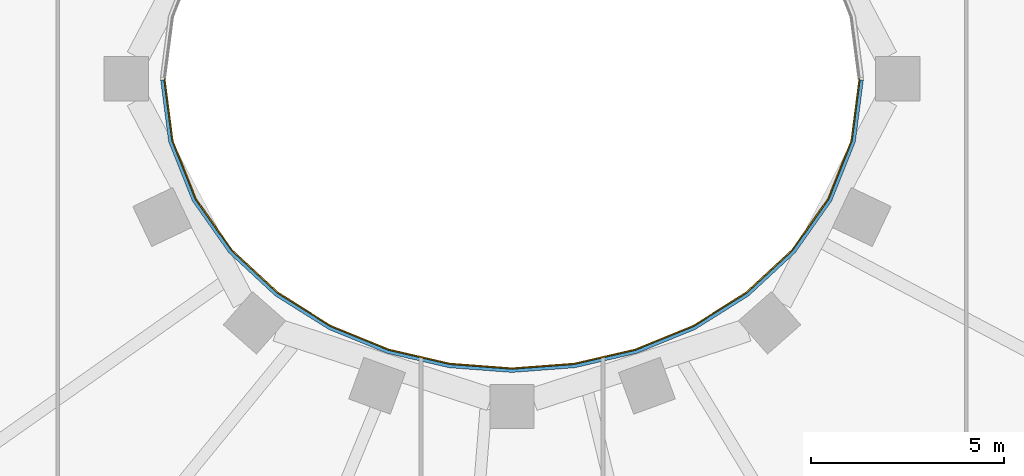
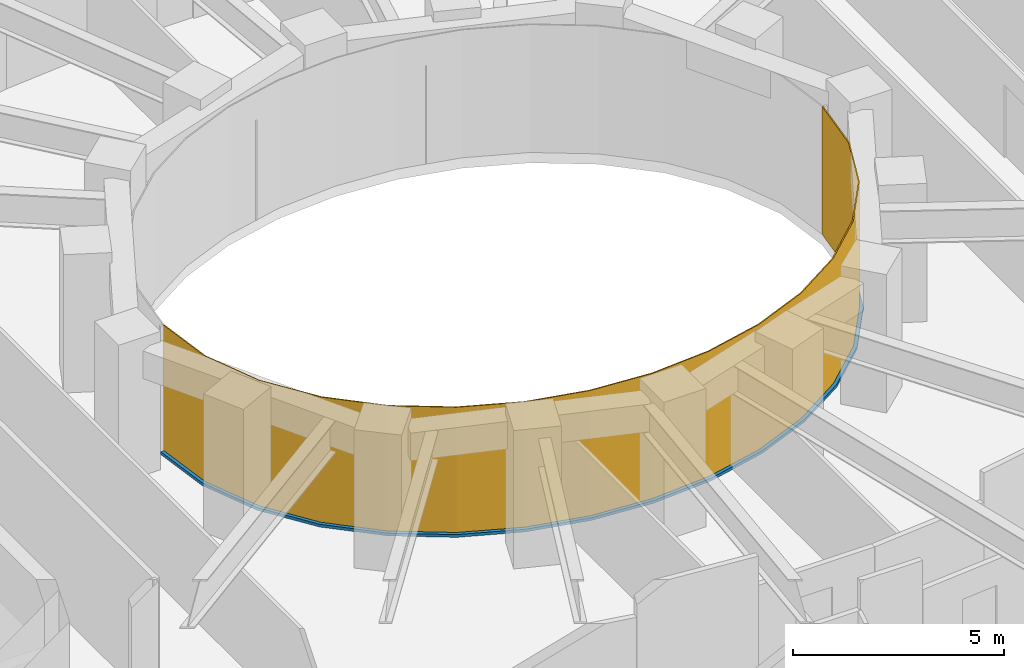
# One storey, part 10 of 16: 1 curtain wall, 1 member.
"""IFC4 building model written with IfcOpenShell, lengths in metres."""

from ifc_helpers import new_model, si_unit, direction, frame, origin, place, context, subcontext, project, spatial, polyline, outline, extrude, material, layer, layer_set, type_object, element, aggregate, save


model = new_model("IFC4")

# Units and contexts
model_context = context("Model", 3, precision=1e-05, world=origin(), true_north=direction((0.0, 1.0)))
body_context = subcontext(model_context, "Body", "Model", "MODEL_VIEW")
ifc_project = project(units=[si_unit("LENGTHUNIT", "METRE"), si_unit("AREAUNIT", "SQUARE_METRE"), si_unit("VOLUMEUNIT", "CUBIC_METRE"), si_unit("PLANEANGLEUNIT", "RADIAN"), si_unit("MASSUNIT", "GRAM", prefix="KILO")], contexts=[model_context])

# Member
ifc_material_1 = material(Name="Steel S355 fire-resisting frame", Category="steel")
member_type = type_object("IfcMemberType", Name="ENV-TRANSOM-W", PredefinedType="USERDEFINED", material=ifc_material_1)
site_placement = place(None, origin())
building_placement = place(site_placement, origin())
storey_placement = place(building_placement, frame((0.0, 0.0, 136.0)))
member_placement = place(storey_placement, origin())
member = element("IfcMember", 1, at=member_placement, type_object=member_type, Name="Transom W well 17-01", ObjectType="TRANSOM", PredefinedType="USERDEFINED", context=body_context, shape_type="SweptSolid", body=[
    extrude(outline(polyline([(-9.119384765625, -0.02783203125), (-8.910400390625, -1.63623046875), (-8.29833984375, -3.167236328125), (-7.35107421875, -4.5146484375), (-6.1455078125, -5.6337890625), (-4.75341796875, -6.50634765625), (-3.233642578125, -7.127685546875), (-1.635498046875, -7.498779296875), (0.0, -7.622314453125), (1.635498046875, -7.498779296875), (3.233642578125, -7.127685546875), (4.75341796875, -6.50634765625), (6.1455078125, -5.6337890625), (7.35107421875, -4.5146484375), (8.29833984375, -3.167236328125), (8.910400390625, -1.63623046875), (9.119384765625, -0.02783203125), (9.02880859375, -0.02783203125), (8.822509765625, -1.61328125), (8.21875, -3.124267578125), (7.282958984375, -4.455078125), (6.090576171875, -5.56201171875), (4.712158203125, -6.426025390625), (3.206298828125, -7.04150390625), (1.621826171875, -7.40966796875), (0.0, -7.531982421875), (-1.621826171875, -7.40966796875), (-3.206298828125, -7.04150390625), (-4.712158203125, -6.426025390625), (-6.090576171875, -5.56201171875), (-7.282958984375, -4.455078125), (-8.21875, -3.124267578125), (-8.822509765625, -1.61328125), (-9.02880859375, -0.02783203125), (-9.119384765625, -0.02783203125)])), origin(), (0.0, 0.0, 1.0), 0.080078125),
])

# Site, building, storey
site = spatial("IfcSite", under=ifc_project, at=site_placement, CompositionType="ELEMENT")
building = spatial("IfcBuilding", under=site, at=building_placement, Name="Noorbagh Ring Tower", CompositionType="ELEMENT")
storey = spatial("IfcBuildingStorey", under=building, at=storey_placement, Name="L31", CompositionType="ELEMENT", Elevation=136.0)

# Curtain wall
ifc_material_2 = material(Name="Glass fire-resisting E60 laminated", Category="glass")
ifc_layer = layer(ifc_material_2, 0.031982421875)
ifc_layer_set = layer_set([ifc_layer], Name="Glass fire-resisting E60 laminated")
curtain_wall_type = type_object("IfcCurtainWallType", Name="ENV-CW-W", PredefinedType="NOTDEFINED", material=ifc_layer_set)
curtain_wall_placement = place(storey_placement, origin())
curtain_wall = element("IfcCurtainWall", 2, at=curtain_wall_placement, inside=storey, type_object=curtain_wall_type, Name="Curtain wall W W17", PredefinedType="NOTDEFINED", context=body_context, shape_type="SweptSolid", body=[
    extrude(outline(polyline([(-9.0322265625, 0.0), (-8.822509765625, -1.61328125), (-8.21875, -3.124267578125), (-7.282958984375, -4.455078125), (-6.090576171875, -5.56201171875), (-4.712158203125, -6.426025390625), (-3.206298828125, -7.04150390625), (-1.621826171875, -7.40966796875), (0.0, -7.531982421875), (1.621826171875, -7.40966796875), (3.206298828125, -7.04150390625), (4.712158203125, -6.426025390625), (6.090576171875, -5.56201171875), (7.282958984375, -4.455078125), (8.21875, -3.124267578125), (8.822509765625, -1.61328125), (9.0322265625, 0.0), (9.0, 0.0), (8.79150390625, -1.605224609375), (8.1904296875, -3.10888671875), (7.2587890625, -4.43408203125), (6.071044921875, -5.53662109375), (4.697509765625, -6.3974609375), (3.196533203125, -7.010986328125), (1.6171875, -7.3779296875), (0.0, -7.5), (-1.6171875, -7.3779296875), (-3.196533203125, -7.010986328125), (-4.697509765625, -6.3974609375), (-6.071044921875, -5.53662109375), (-7.2587890625, -4.43408203125), (-8.1904296875, -3.10888671875), (-8.79150390625, -1.605224609375), (-9.0, 0.0), (-9.0322265625, 0.0)])), origin(), (0.0, 0.0, 1.0), 3.699951171875),
])

aggregate(curtain_wall, [member])

save(model, "model.ifc")
